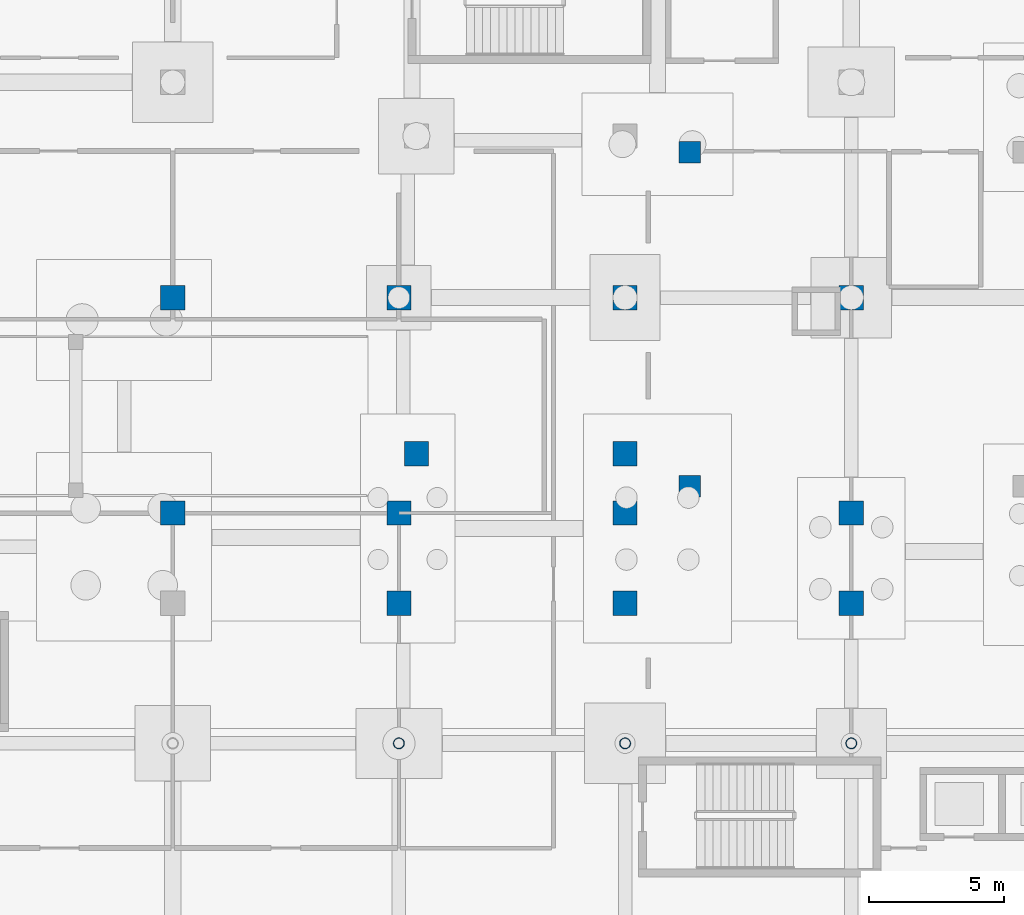
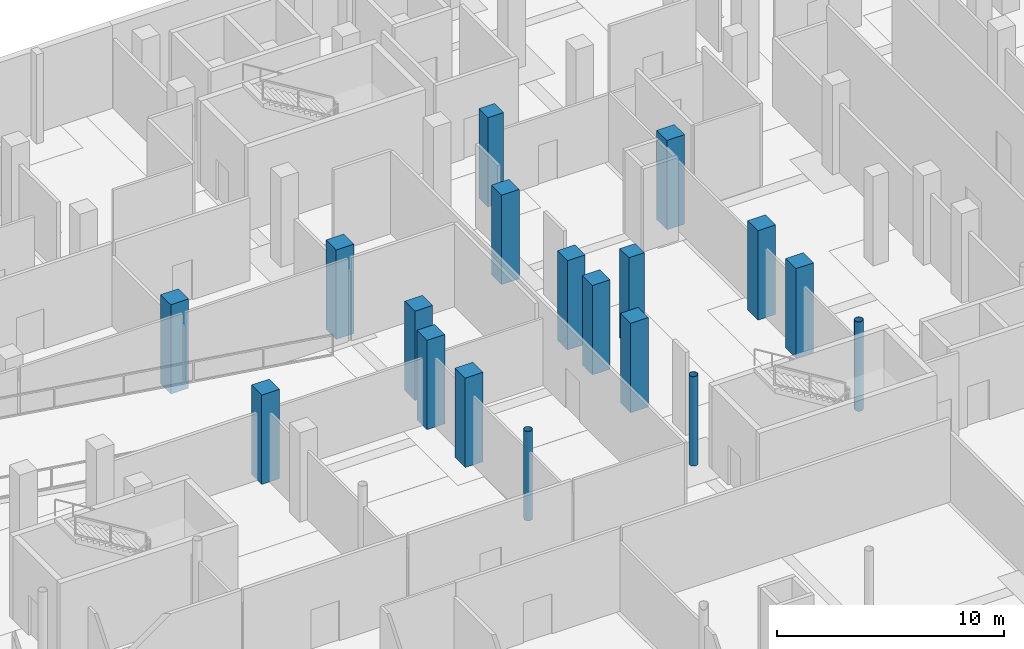
# One storey, part 18 of 45: 18 columns.
"""IFC4 building model written with IfcOpenShell, lengths in metres."""

from ifc_helpers import new_model, si_unit, direction, frame, origin, origin_2d, place, context, subcontext, project, spatial, rectangle, hollow_circle, extrude, material, material_profile, profile_set, type_object, element, save


model = new_model("IFC4")

# Units and contexts
model_context = context("Model", 3, precision=1e-05, world=origin(), true_north=direction((0.0, 1.0)))
body_context = subcontext(model_context, "Body", "Model", "MODEL_VIEW")
ifc_project = project(units=[si_unit("LENGTHUNIT", "METRE"), si_unit("AREAUNIT", "SQUARE_METRE"), si_unit("VOLUMEUNIT", "CUBIC_METRE"), si_unit("PLANEANGLEUNIT", "RADIAN"), si_unit("MASSUNIT", "GRAM", prefix="KILO")], contexts=[model_context])

# Site, building, storey
site_placement = place(None, origin())
site = spatial("IfcSite", under=ifc_project, at=site_placement, CompositionType="ELEMENT")
building_placement = place(site_placement, origin())
building = spatial("IfcBuilding", under=site, at=building_placement, Name="Selatvlak General Hospital", CompositionType="ELEMENT")
storey_placement = place(building_placement, frame((0.0, 0.0, -4.800048828125)))
storey = spatial("IfcBuildingStorey", under=building, at=storey_placement, Name="B1", CompositionType="ELEMENT", Elevation=-4.800048828125)

# Columns
ifc_material_1 = material(Name="Steel S355", Category="steel")
ifc_material_profile_1 = material_profile(ifc_material_1, hollow_circle(Radius=0.203125, WallThickness=0.01611328125, at=origin_2d()), Name="CHS 406.4x16")
ifc_profile_set_1 = profile_set([ifc_material_profile_1], Name="Steel S355")
column_type_1 = type_object("IfcColumnType", Name="COL-CHS406", PredefinedType="COLUMN", material=ifc_profile_set_1)
for number, where, z_axis, x_axis, name in (
    (1, (48.0, 83.449951171875, 0.0), (0.0, 0.0, 1.0), (1.0, 0.0, 0.0), "Column 012 on B1"),
    (2, (56.39990234375, 83.449951171875, 0.0), (0.0, 0.0, 1.0), (1.0, 0.0, 0.0), "Column 015 on B1"),
    (3, (64.800048828125, 83.449951171875, 0.0), (0.0, 0.0, 1.0), (1.0, 0.0, 0.0), "Column 018 on B1"),
):
    element("IfcColumn", number, at=place(storey_placement, frame(where, z_axis=z_axis, x_axis=x_axis)), inside=storey, type_object=column_type_1, Name=name, PredefinedType="COLUMN", context=body_context, shape_type="SweptSolid", body=[
        extrude(hollow_circle(Radius=0.203125, WallThickness=0.01611328125, at=origin_2d()), origin(), (0.0, 0.0, 1.0), 4.800048828125),
    ])
ifc_material_2 = material(Name="Concrete C50/60", Category="concrete")
ifc_material_profile_2 = material_profile(ifc_material_2, rectangle(XDim=0.800048828125, YDim=0.800048828125, at=origin_2d()), Name="RC-COL 800x800")
ifc_profile_set_2 = profile_set([ifc_material_profile_2], Name="Concrete C50/60")
column_type_2 = type_object("IfcColumnType", Name="COL-RC80", PredefinedType="COLUMN", material=ifc_profile_set_2)
for number, where, z_axis, x_axis, name in (
    (4, (58.800048828125, 93.0, 0.0), (0.0, 0.0, 1.0), (1.0, 0.0, 0.0), "Column 037 on B1"),
    (5, (58.800048828125, 105.39990234375, 0.0), (0.0, 0.0, 1.0), (1.0, 0.0, 0.0), "Column 038 on B1"),
):
    element("IfcColumn", number, at=place(storey_placement, frame(where, z_axis=z_axis, x_axis=x_axis)), inside=storey, type_object=column_type_2, Name=name, PredefinedType="COLUMN", context=body_context, shape_type="SweptSolid", body=[
        extrude(rectangle(XDim=0.800048828125, YDim=0.800048828125, at=origin_2d()), origin(), (0.0, 0.0, 1.0), 4.800048828125),
    ])
ifc_material_profile_3 = material_profile(ifc_material_2, rectangle(XDim=0.89990234375, YDim=0.89990234375, at=origin_2d()), Name="RC-COL 900x900")
ifc_profile_set_3 = profile_set([ifc_material_profile_3], Name="Concrete C50/60")
column_type_3 = type_object("IfcColumnType", Name="COL-RC90", PredefinedType="COLUMN", material=ifc_profile_set_3)
for number, where, z_axis, x_axis, name in (
    (6, (48.64990234375, 94.199951171875, 0.0), (0.0, 0.0, 1.0), (1.0, 0.0, 0.0), "Column 046 on B1"),
    (7, (56.39990234375, 94.199951171875, 0.0), (0.0, 0.0, 1.0), (1.0, 0.0, 0.0), "Column 047 on B1"),
    (8, (39.60009765625, 92.0, 0.0), (0.0, 0.0, 1.0), (1.0, 0.0, 0.0), "Column 171 on B1"),
    (9, (39.60009765625, 100.0, 0.0), (0.0, 0.0, 1.0), (1.0, 0.0, 0.0), "Column 172 on B1"),
    (10, (48.0, 88.64990234375, 0.0), (0.0, 0.0, 1.0), (1.0, 0.0, 0.0), "Column 177 on B1"),
    (11, (48.0, 92.0, 0.0), (0.0, 0.0, 1.0), (1.0, 0.0, 0.0), "Column 178 on B1"),
    (12, (48.0, 100.0, 0.0), (0.0, 0.0, 1.0), (1.0, 0.0, 0.0), "Column 179 on B1"),
    (13, (56.39990234375, 88.64990234375, 0.0), (0.0, 0.0, 1.0), (1.0, 0.0, 0.0), "Column 181 on B1"),
    (14, (56.39990234375, 92.0, 0.0), (0.0, 0.0, 1.0), (1.0, 0.0, 0.0), "Column 182 on B1"),
    (15, (56.39990234375, 100.0, 0.0), (0.0, 0.0, 1.0), (1.0, 0.0, 0.0), "Column 183 on B1"),
    (16, (64.800048828125, 88.64990234375, 0.0), (0.0, 0.0, 1.0), (1.0, 0.0, 0.0), "Column 186 on B1"),
    (17, (64.800048828125, 92.0, 0.0), (0.0, 0.0, 1.0), (1.0, 0.0, 0.0), "Column 187 on B1"),
    (18, (64.800048828125, 100.0, 0.0), (0.0, 0.0, 1.0), (1.0, 0.0, 0.0), "Column 188 on B1"),
):
    element("IfcColumn", number, at=place(storey_placement, frame(where, z_axis=z_axis, x_axis=x_axis)), inside=storey, type_object=column_type_3, Name=name, PredefinedType="COLUMN", context=body_context, shape_type="SweptSolid", body=[
        extrude(rectangle(XDim=0.89990234375, YDim=0.89990234375, at=origin_2d()), origin(), (0.0, 0.0, 1.0), 4.800048828125),
    ])

save(model, "model.ifc")
